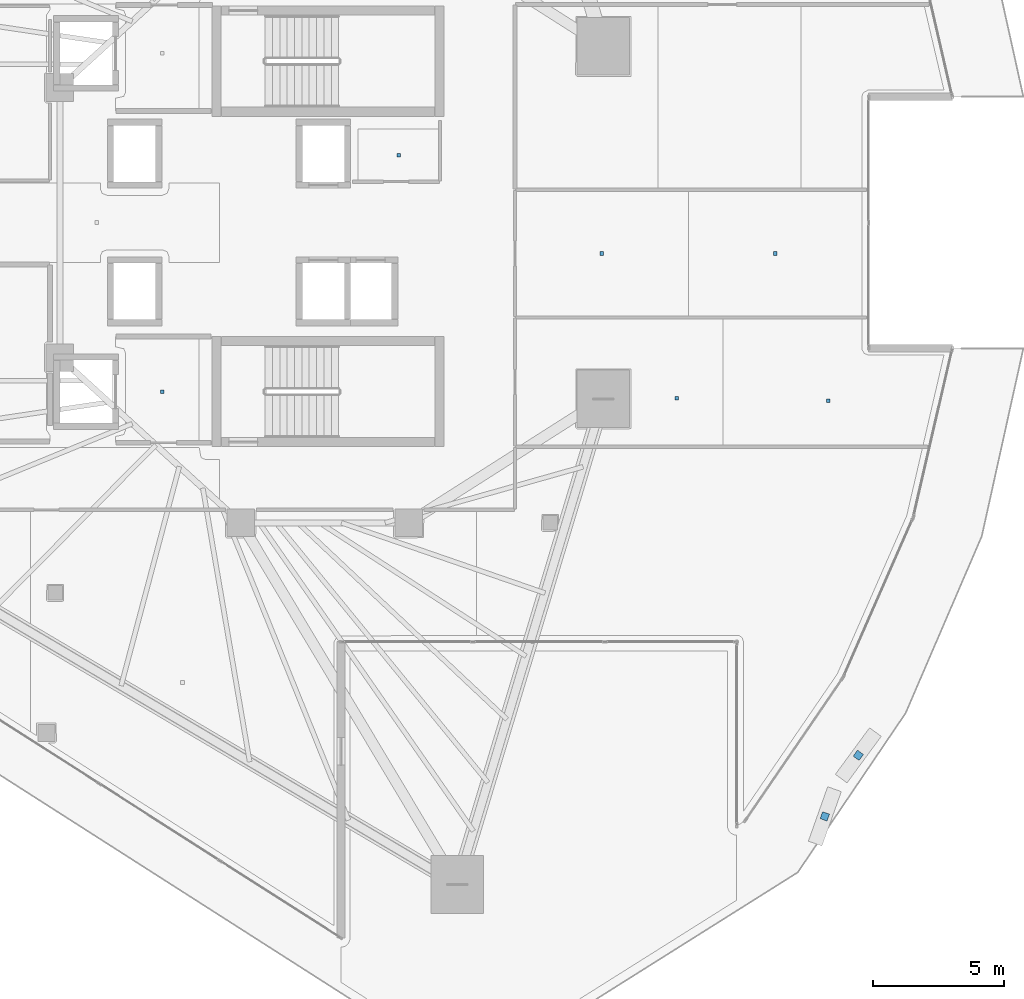
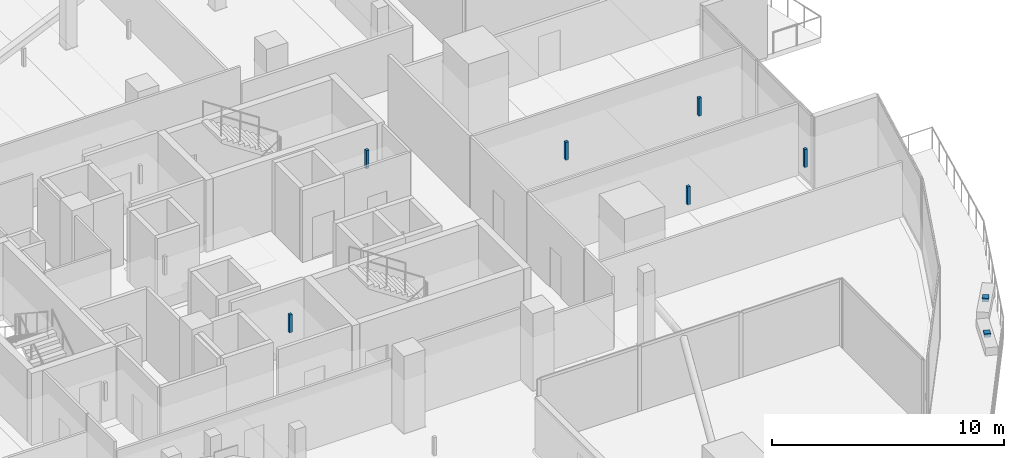
# One storey, part 34 of 43: 8 discrete accessories.
"""IFC4 building model written with IfcOpenShell, lengths in metres."""

from ifc_helpers import new_model, si_unit, direction, frame, origin, origin_2d, place, context, subcontext, project, spatial, rectangle, extrude, material, type_object, element, save


model = new_model("IFC4")

# Units and contexts
model_context = context("Model", 3, precision=1e-05, world=origin(), true_north=direction((0.0, 1.0)))
body_context = subcontext(model_context, "Body", "Model", "MODEL_VIEW")
ifc_project = project(units=[si_unit("LENGTHUNIT", "METRE"), si_unit("AREAUNIT", "SQUARE_METRE"), si_unit("VOLUMEUNIT", "CUBIC_METRE"), si_unit("PLANEANGLEUNIT", "RADIAN"), si_unit("MASSUNIT", "GRAM", prefix="KILO")], contexts=[model_context])

# Site, building, storey
site_placement = place(None, origin())
site = spatial("IfcSite", under=ifc_project, at=site_placement, CompositionType="ELEMENT")
building_placement = place(site_placement, origin())
building = spatial("IfcBuilding", under=site, at=building_placement, Name="Qorvath Tower", CompositionType="ELEMENT")
storey_placement = place(building_placement, frame((0.0, 0.0, 150.300048828125)))
storey = spatial("IfcBuildingStorey", under=building, at=storey_placement, Name="L34", CompositionType="ELEMENT", Elevation=150.300048828125)

# Discrete accessories
ifc_material = material(Name="Galvanised steel bracket", Category="steel")
discrete_accessory_type = type_object("IfcDiscreteAccessoryType", Name="DA-BRACKET", PredefinedType="BRACKET", material=ifc_material)
for number, where, z_axis, x_axis, name in (
    (1, (-1.32763671875, -22.647216796875, 3.64013671875), (0.0, 0.0, 1.0), (0.334277350482, 0.94247474924, 0.0), "Louvre Wave Support Bracket L34-03"),
    (2, (-0.05126953125, -20.31884765625, 3.64013671875), (0.0, 0.0, 1.0), (0.592419613822, 0.805629568201, 0.0), "Louvre Wave Support Bracket L34-04"),
):
    element("IfcDiscreteAccessory", number, at=place(storey_placement, frame(where, z_axis=z_axis, x_axis=x_axis)), inside=storey, type_object=discrete_accessory_type, Name=name, PredefinedType="NOTDEFINED", context=body_context, shape_type="SweptSolid", body=[
        extrude(rectangle(XDim=0.280029296875, YDim=0.280029296875, at=origin_2d()), origin(), (0.0, 0.0, 1.0), 0.199951171875),
    ])
for number, where, z_axis, x_axis, name in (
    (3, (-26.590087890625, -6.449951171875, 2.85986328125), (0.0, 0.0, 1.0), (1.0, 0.0, 0.0), "Acoustic Ceiling Suspension Hanger T1-L34-002"),
    (4, (-17.572509765625, 2.5625, 2.85986328125), (0.0, 0.0, 1.0), (1.0, 0.0, 0.0), "Acoustic Ceiling Suspension Hanger T1-L34-003"),
    (5, (-6.96923828125, -6.7001953125, 2.85986328125), (0.0, 0.0, 1.0), (1.0, 0.0, 0.0), "Acoustic Ceiling Suspension Hanger T1-L34-020"),
    (6, (-1.19921875, -6.793701171875, 2.85986328125), (0.0, 0.0, 1.0), (1.0, 0.0, 0.0), "Acoustic Ceiling Suspension Hanger T1-L34-021"),
    (7, (-9.83154296875, -1.17919921875, 2.85986328125), (0.0, 0.0, 1.0), (1.0, 0.0, 0.0), "Acoustic Ceiling Suspension Hanger T1-L34-022"),
    (8, (-3.220703125, -1.17919921875, 2.85986328125), (0.0, 0.0, 1.0), (1.0, 0.0, 0.0), "Acoustic Ceiling Suspension Hanger T1-L34-023"),
):
    element("IfcDiscreteAccessory", number, at=place(storey_placement, frame(where, z_axis=z_axis, x_axis=x_axis)), inside=storey, type_object=discrete_accessory_type, Name=name, PredefinedType="NOTDEFINED", context=body_context, shape_type="SweptSolid", body=[
        extrude(rectangle(XDim=0.139892578125, YDim=0.139892578125, at=origin_2d()), origin(), (0.0, 0.0, 1.0), 0.9501953125),
    ])

save(model, "model.ifc")
